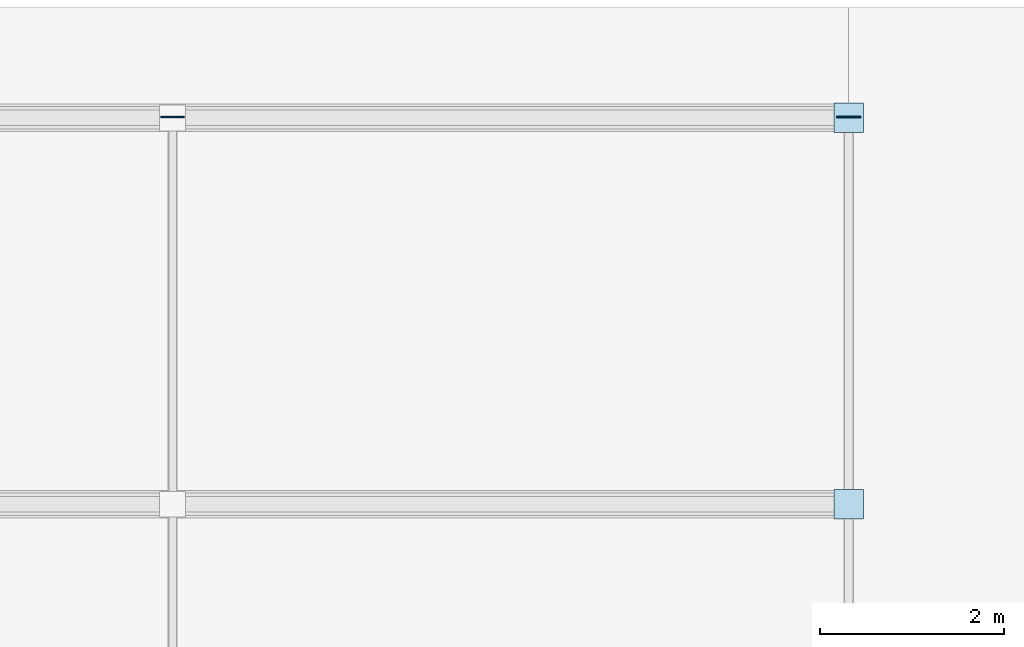
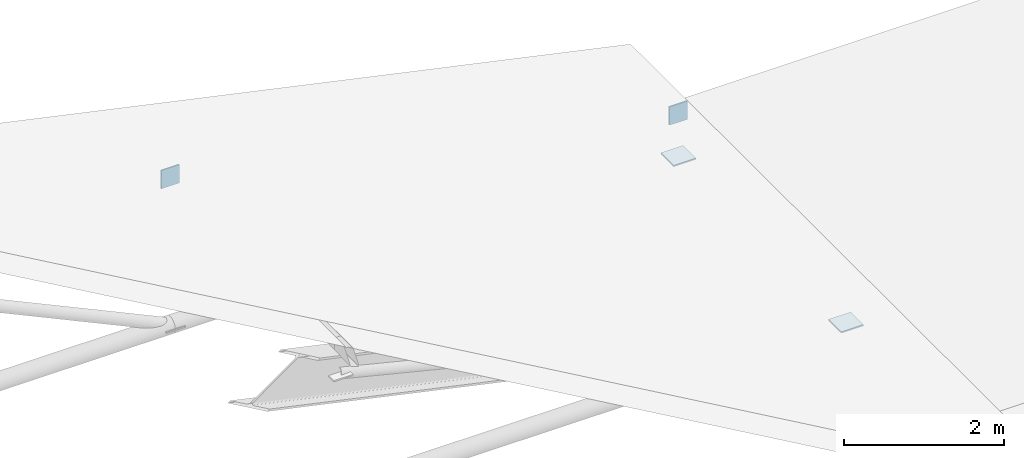
# One storey, part 56 of 60: 4 plates.
"""IFC4 building model written with IfcOpenShell, lengths in metres."""

import ifcopenshell
import ifcopenshell.guid

model = None  # the IFC model being written
_history = None  # IfcOwnerHistory: only IFC2X3 demands one
_inside = {}  # id of a spatial element -> (the spatial element, [elements in it])
_under = {}  # id of a project, library or spatial element -> (it, [spatial elements below it])
_declared = {}  # id of a project -> (the project, [libraries it declares])
_typed = {}  # id of a type object -> (the type object, [elements of that type])
_made_of = {}  # id of a material, layer set ... -> (it, [elements and type objects made of it])


def new_model(schema):
    """Start an empty IFC model of exactly this schema.

    Asked for "IFC4X3", IfcOpenShell would pick the latest addendum, in which some entities
    have other attributes; the version numbers below select the first issue.
    IFC2X3 requires an IfcOwnerHistory on every rooted entity: one is made here for all.
    """
    global model, _history
    if schema == "IFC4X3":
        model = ifcopenshell.file(schema_version=(4, 3, 0, 0))
    else:
        model = ifcopenshell.file(schema=schema)
    _inside.clear()
    _under.clear()
    _declared.clear()
    _typed.clear()
    _made_of.clear()
    _history = None
    if model.schema == "IFC2X3":
        org = make("IfcOrganization", Name="unknown")
        user = make(
            "IfcPersonAndOrganization",
            ThePerson=make("IfcPerson", FamilyName="unknown"),
            TheOrganization=org,
        )
        app = make(
            "IfcApplication",
            ApplicationDeveloper=org,
            Version="unknown",
            ApplicationFullName="unknown",
            ApplicationIdentifier="unknown",
        )
        _history = make(
            "IfcOwnerHistory",
            OwningUser=user,
            OwningApplication=app,
            ChangeAction="ADDED",
            CreationDate=0,
        )
    return model


def make(cls, **values):
    """One entity of the class cls with the attributes given. An attribute that is None is left unset."""
    return model.create_entity(
        cls, **{name: value for name, value in values.items() if value is not None}
    )


def rooted(cls, **values):
    """An entity with a GlobalId (a new one), such as an element, a storey or a relation."""
    return make(cls, GlobalId=ifcopenshell.guid.new(), OwnerHistory=_history, **values)


def si_unit(unit_type, name, prefix=None):
    """IfcSIUnit, for example si_unit("LENGTHUNIT", "METRE", prefix="MILLI")."""
    return make("IfcSIUnit", UnitType=unit_type, Prefix=prefix, Name=name)


def assignment(units):
    """IfcUnitAssignment: the units of a project."""
    return None if units is None else make("IfcUnitAssignment", Units=units)


def point(xyz):
    """IfcCartesianPoint."""
    return None if xyz is None else make("IfcCartesianPoint", Coordinates=xyz)


def direction(xyz):
    """IfcDirection."""
    return None if xyz is None else make("IfcDirection", DirectionRatios=xyz)


def frame(location, z_axis=None, x_axis=None):
    """IfcAxis2Placement3D, a coordinate frame: its origin and axes. An axis left out is left unset."""
    return make(
        "IfcAxis2Placement3D",
        Location=point(location),
        Axis=direction(z_axis),
        RefDirection=direction(x_axis),
    )


def frame_2d(location, x_axis=None):
    """IfcAxis2Placement2D, a coordinate frame in the plane: its origin and x axis."""
    return make(
        "IfcAxis2Placement2D", Location=point(location), RefDirection=direction(x_axis)
    )


def origin():
    """The frame at (0, 0, 0) with its axes left unset."""
    return frame((0.0, 0.0, 0.0))


def origin_2d():
    """The frame at (0, 0) in the plane with its x axis left unset."""
    return frame_2d((0.0, 0.0))


def place(relative_to, where):
    """IfcLocalPlacement: puts the frame where relative to a parent placement (None: the world)."""
    return make(
        "IfcLocalPlacement", PlacementRelTo=relative_to, RelativePlacement=where
    )


def context(
    kind, dimensions, precision=None, world=None, true_north=None, identifier=None
):
    """IfcGeometricRepresentationContext, for example the 3D "Model" context."""
    return make(
        "IfcGeometricRepresentationContext",
        ContextIdentifier=identifier,
        ContextType=kind,
        CoordinateSpaceDimension=dimensions,
        Precision=precision,
        WorldCoordinateSystem=world,
        TrueNorth=true_north,
    )


def subcontext(parent, identifier, kind, view, scale=None):
    """IfcGeometricRepresentationSubContext, for example "Body" below "Model"."""
    return make(
        "IfcGeometricRepresentationSubContext",
        ContextIdentifier=identifier,
        ContextType=kind,
        ParentContext=parent,
        TargetScale=scale,
        TargetView=view,
    )


def project(units=None, contexts=None):
    """IfcProject with its units and contexts."""
    return rooted(
        "IfcProject",
        Name="project",
        RepresentationContexts=contexts,
        UnitsInContext=assignment(units),
    )


def spatial(cls, under=None, at=None, **own):
    """A site, building, storey or space (cls), placed at a placement, below another one or the project."""
    s = rooted(cls, ObjectPlacement=at, **own)
    if under is not None:
        _under.setdefault(under.id(), (under, []))[1].append(s)
    return s


def profile(cls, at=None, kind="AREA", **sizes):
    """A parametric profile (cls). Its sizes go by their IFC names, for example OverallWidth=200.0."""
    return make(cls, ProfileType=kind, Position=at, **sizes)


def rectangle(**sizes):
    """IfcRectangleProfileDef."""
    return profile("IfcRectangleProfileDef", **sizes)


def extrude(swept, where, along, depth):
    """IfcExtrudedAreaSolid: the profile swept, set in the frame where, extruded along a direction by depth."""
    return make(
        "IfcExtrudedAreaSolid",
        SweptArea=swept,
        Position=where,
        ExtrudedDirection=direction(along),
        Depth=depth,
    )


def shape(context_of_items, identifier, shape_type, items):
    """IfcShapeRepresentation: the items that make up one representation, for example the "Body"."""
    return make(
        "IfcShapeRepresentation",
        ContextOfItems=context_of_items,
        RepresentationIdentifier=identifier,
        RepresentationType=shape_type,
        Items=items,
    )


def material(Name=None, Category=None):
    """IfcMaterial."""
    return make("IfcMaterial", Name=Name, Category=Category)


def made_of(thing, what):
    """Note that an element or type object is made of a material, layer set ...; save() writes the relation."""
    if what is not None:
        _made_of.setdefault(what.id(), (what, []))[1].append(thing)
    return thing


def type_object(cls, material=None, **own):
    """A type object (cls), such as IfcWallType, which elements share."""
    return made_of(rooted(cls, **own), material)


def element(
    cls,
    number,
    at=None,
    inside=None,
    cuts=None,
    type_object=None,
    material=None,
    context=None,
    identifier="Body",
    shape_type=None,
    held_by="IfcProductDefinitionShape",
    body=None,
    shapes=None,
    **own,
):
    """One element of the class cls, such as IfcWall. Its Tag is "e" and its number.

    at: its placement. inside: the storey or other place that contains it. cuts: it is an
    opening in that element (IfcRelVoidsElement). A single representation is given by context,
    identifier, shape_type and body (its items); several are given by shapes. held_by: the class
    of the entity that holds the representations. save() writes the other relations.
    """
    e = rooted(cls, Tag="e%d" % number, ObjectPlacement=at, **own)
    if body is not None:
        shapes = [shape(context, identifier, shape_type, body)]
    if shapes is not None:
        e.Representation = make(held_by, Representations=shapes)
    if inside is not None:
        _inside.setdefault(inside.id(), (inside, []))[1].append(e)
    if cuts is not None:
        rooted(
            "IfcRelVoidsElement", RelatingBuildingElement=cuts, RelatedOpeningElement=e
        )
    if type_object is not None:
        _typed.setdefault(type_object.id(), (type_object, []))[1].append(e)
    return made_of(e, material)


def aggregate(whole, parts):
    """IfcRelAggregates: a whole, such as a stair, and the parts it consists of."""
    return rooted("IfcRelAggregates", RelatingObject=whole, RelatedObjects=parts)


def save(model, path):
    """Write the relations noted so far, then the file.

    IfcRelAggregates (storeys below a building ...), IfcRelContainedInSpatialStructure (elements
    in a storey), IfcRelDefinesByType, IfcRelAssociatesMaterial and IfcRelDeclares: one each for
    every whole, place, type object, material and project.
    """
    for whole, parts in _under.values():
        aggregate(whole, parts)
    for where, things in _inside.values():
        rooted(
            "IfcRelContainedInSpatialStructure",
            RelatedElements=things,
            RelatingStructure=where,
        )
    for kind, things in _typed.values():
        rooted("IfcRelDefinesByType", RelatedObjects=things, RelatingType=kind)
    for what, things in _made_of.values():
        rooted("IfcRelAssociatesMaterial", RelatedObjects=things, RelatingMaterial=what)
    for by, libraries in _declared.values():
        rooted("IfcRelDeclares", RelatingContext=by, RelatedDefinitions=libraries)
    model.write(path)


model = new_model("IFC4")

# Units and contexts
model_context = context("Model", 3, precision=1e-05, world=origin(), true_north=direction((0.0, 1.0)))
body_context = subcontext(model_context, "Body", "Model", "MODEL_VIEW")
ifc_project = project(units=[si_unit("LENGTHUNIT", "METRE"), si_unit("AREAUNIT", "SQUARE_METRE"), si_unit("VOLUMEUNIT", "CUBIC_METRE"), si_unit("PLANEANGLEUNIT", "RADIAN"), si_unit("MASSUNIT", "GRAM", prefix="KILO")], contexts=[model_context])

# Site, building, storey
site_placement = place(None, origin())
site = spatial("IfcSite", under=ifc_project, at=site_placement, CompositionType="ELEMENT")
building_placement = place(site_placement, origin())
building = spatial("IfcBuilding", under=site, at=building_placement, Name="Nakhvara Creek Congress Hotel", CompositionType="ELEMENT")
storey_placement = place(building_placement, frame((0.0, 0.0, 54.60009765625)))
storey = spatial("IfcBuildingStorey", under=building, at=storey_placement, Name="RL1", CompositionType="ELEMENT", Elevation=54.60009765625)

# Plates
ifc_material = material(Name="Steel S355J2", Category="steel")
plate_type_1 = type_object("IfcPlateType", Name="PLT-CAP-260X280X20", PredefinedType="USERDEFINED", material=ifc_material)
for number, where, z_axis, x_axis, name in (
    (1, (41.10009765625, 124.81005859375, -39.77392578125), (0.0, 0.0, 1.0), (1.0, 0.0, 0.0), "Ballroom Purlin End-Cap Plate SN08-6N"),
    (2, (48.449951171875, 124.81005859375, -41.3740234375), (0.0, 0.0, 1.0), (1.0, 0.0, 0.0), "Ballroom Purlin End-Cap Plate SN08-7N"),
):
    element("IfcPlate", number, at=place(storey_placement, frame(where, z_axis=z_axis, x_axis=x_axis)), inside=storey, type_object=plate_type_1, Name=name, ObjectType="GUSSET_PLATE", PredefinedType="USERDEFINED", context=body_context, shape_type="SweptSolid", body=[
        extrude(rectangle(XDim=0.260009765625, YDim=0.02001953125, at=origin_2d()), origin(), (0.0, 0.0, 1.0), 0.280029296875),
    ])
plate_type_2 = type_object("IfcPlateType", Name="PLT-NODE-320X320X20", PredefinedType="USERDEFINED", material=ifc_material)
for number, where, z_axis, x_axis, name in (
    (3, (48.449951171875, 120.60009765625, -41.900146484375), (0.0, 0.0, 1.0), (1.0, 0.0, 0.0), "Ballroom Truss Node Gusset Plate SN-088"),
    (4, (48.449951171875, 124.800048828125, -41.900146484375), (0.0, 0.0, 1.0), (1.0, 0.0, 0.0), "Ballroom Truss Node Gusset Plate SN-099"),
):
    element("IfcPlate", number, at=place(storey_placement, frame(where, z_axis=z_axis, x_axis=x_axis)), inside=storey, type_object=plate_type_2, Name=name, ObjectType="GUSSET_PLATE", PredefinedType="USERDEFINED", context=body_context, shape_type="SweptSolid", body=[
        extrude(rectangle(XDim=0.320068359375, YDim=0.320068359375, at=origin_2d()), origin(), (0.0, 0.0, 1.0), 0.02001953125),
    ])

save(model, "model.ifc")
